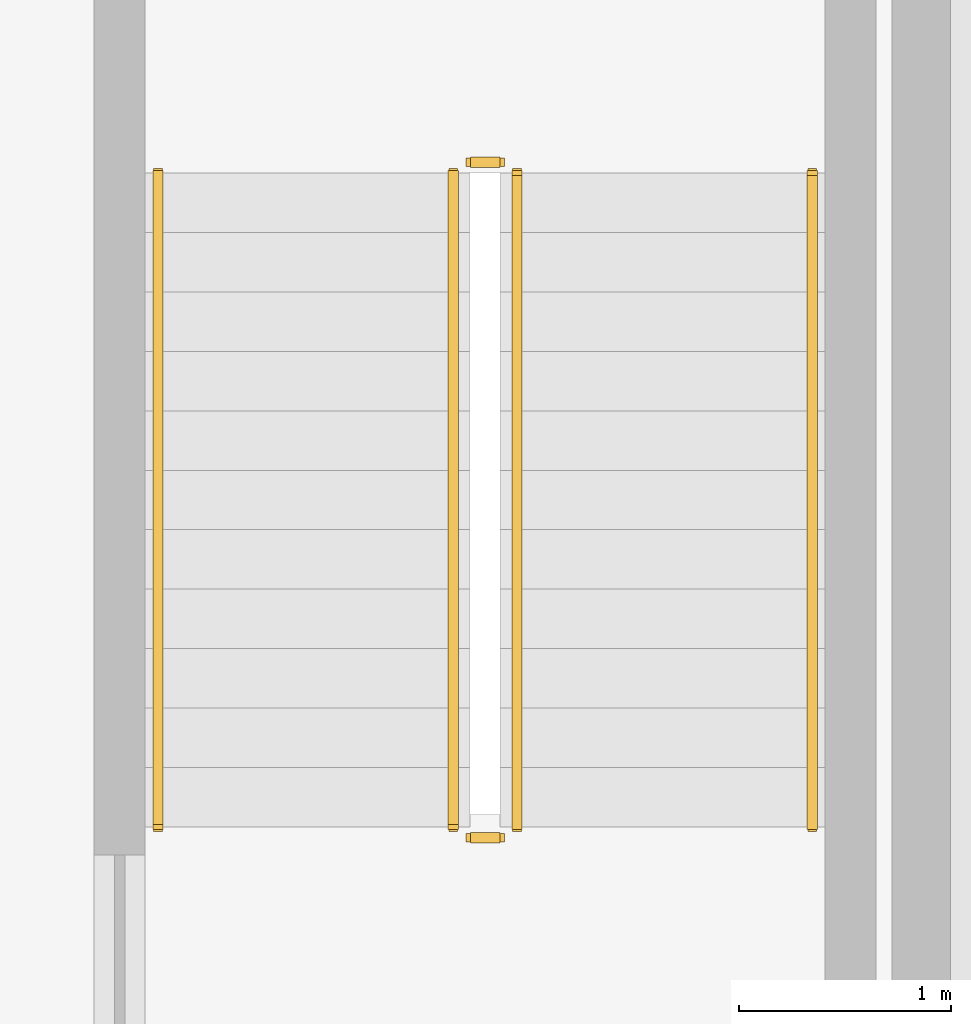
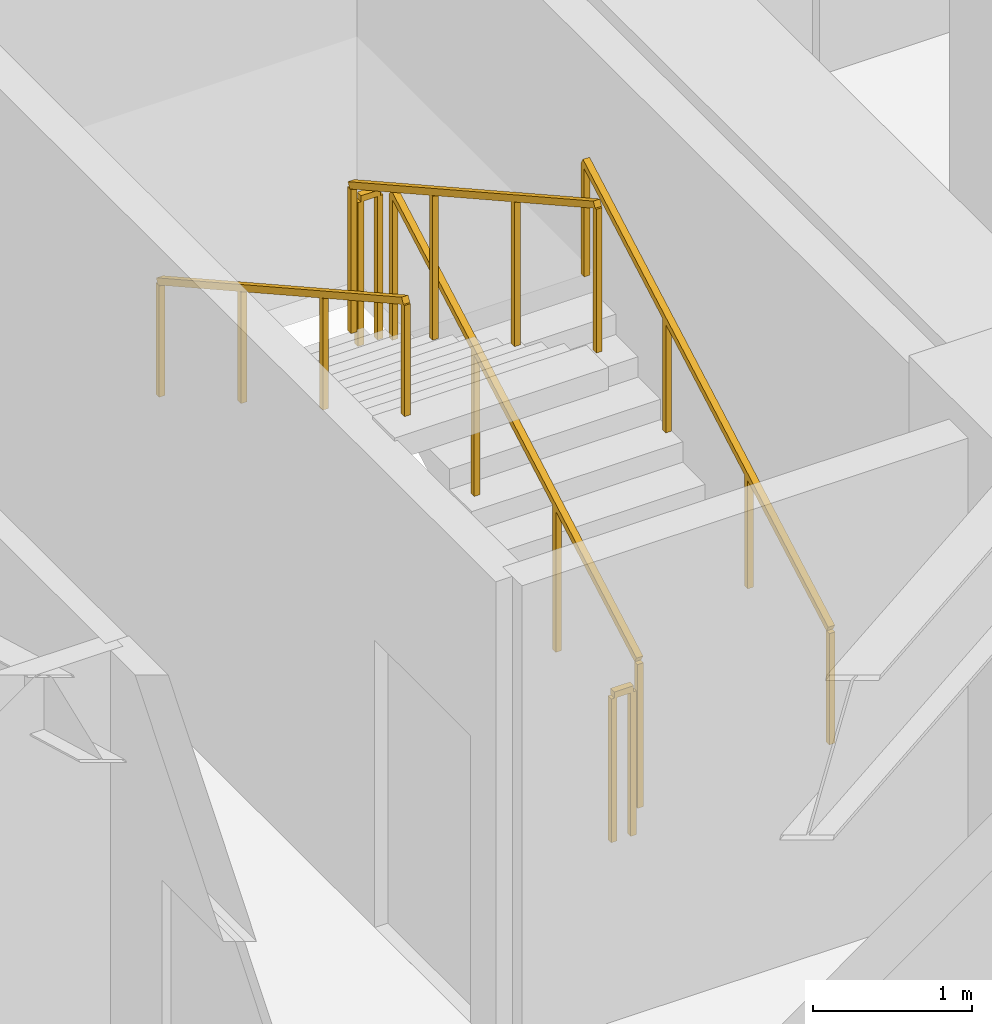
# One storey, part 9 of 11: 6 railings.
"""IFC4 building model written with IfcOpenShell, lengths in metres."""

from ifc_helpers import new_model, si_unit, direction, frame, origin, origin_2d, place, context, subcontext, project, spatial, rectangle, extrude, material, type_object, element, save


model = new_model("IFC4")

# Units and contexts
model_context = context("Model", 3, precision=1e-05, world=origin(), true_north=direction((0.0, 1.0)))
body_context = subcontext(model_context, "Body", "Model", "MODEL_VIEW")
ifc_project = project(units=[si_unit("LENGTHUNIT", "METRE"), si_unit("AREAUNIT", "SQUARE_METRE"), si_unit("VOLUMEUNIT", "CUBIC_METRE"), si_unit("PLANEANGLEUNIT", "RADIAN"), si_unit("MASSUNIT", "GRAM", prefix="KILO")], contexts=[model_context])

# Site, building, storey
site_placement = place(None, origin())
site = spatial("IfcSite", under=ifc_project, at=site_placement, CompositionType="ELEMENT")
building_placement = place(site_placement, origin())
building = spatial("IfcBuilding", under=site, at=building_placement, Name="Liaohun Quay Tower", CompositionType="ELEMENT")
storey_placement = place(building_placement, frame((0.0, 0.0, 51.75)))
storey = spatial("IfcBuildingStorey", under=building, at=storey_placement, Name="L13", CompositionType="ELEMENT", Elevation=51.75)

# Railings
ifc_material_1 = material(Name="Painted tubular steel", Category="steel")
railing_type_1 = type_object("IfcRailingType", Name="RLG-GUARD-STR", PredefinedType="GUARDRAIL", material=ifc_material_1)
railing_1_placement = place(storey_placement, frame((48.81005859375, 48.35009765625, 0.15625)))
element("IfcRailing", 1, at=railing_1_placement, inside=storey, type_object=railing_type_1, Name="L13 ST-1 stair guard 1", PredefinedType="GUARDRAIL", context=body_context, shape_type="SweptSolid", body=[
    extrude(rectangle(XDim=0.048095703125, YDim=0.048095703125, at=origin_2d()), frame((0.0, 0.0, 1.1259765625), z_axis=(0.0, 0.873225103656, 0.487317061414), x_axis=(-1.0, 0.0, 0.0)), (0.0, 0.0, 1.0), 3.52685546875),
    extrude(rectangle(XDim=0.0419921875, YDim=0.0419921875, at=origin_2d()), origin(), (0.0, 0.0, 1.0), 1.101806640625),
    extrude(rectangle(XDim=0.0419921875, YDim=0.0419921875, at=origin_2d()), frame((0.0, 1.026611328125, 0.572998046875)), (0.0, 0.0, 1.0), 1.101806640625),
    extrude(rectangle(XDim=0.0419921875, YDim=0.0419921875, at=origin_2d()), frame((0.0, 2.05322265625, 1.145751953125)), (0.0, 0.0, 1.0), 1.101806640625),
    extrude(rectangle(XDim=0.0419921875, YDim=0.0419921875, at=origin_2d()), frame((0.0, 3.079833984375, 1.71875)), (0.0, 0.0, 1.0), 1.101806640625),
])
railing_2_placement = place(storey_placement, frame((48.72998046875, 51.47998046875, 1.875)))
element("IfcRailing", 2, at=railing_2_placement, inside=storey, type_object=railing_type_1, Name="L13 ST-1 stair guard 2", PredefinedType="GUARDRAIL", context=body_context, shape_type="SweptSolid", body=[
    extrude(rectangle(XDim=0.048095703125, YDim=0.048095703125, at=origin_2d()), frame((0.0, 0.0, 1.1259765625), z_axis=(-1.0, 0.0, 0.0), x_axis=(0.0, -1.0, 0.0)), (0.0, 0.0, 1.0), 0.139892578125),
    extrude(rectangle(XDim=0.0419921875, YDim=0.0419921875, at=origin_2d()), origin(), (0.0, 0.0, 1.0), 1.101806640625),
    extrude(rectangle(XDim=0.0419921875, YDim=0.0419921875, at=origin_2d()), frame((-0.139892578125, 0.0, 0.0)), (0.0, 0.0, 1.0), 1.101806640625),
])
railing_3_placement = place(storey_placement, frame((48.510009765625, 51.429931640625, 2.03125)))
element("IfcRailing", 3, at=railing_3_placement, inside=storey, type_object=railing_type_1, Name="L13 ST-1 stair guard 3", PredefinedType="GUARDRAIL", context=body_context, shape_type="SweptSolid", body=[
    extrude(rectangle(XDim=0.048095703125, YDim=0.048095703125, at=origin_2d()), frame((0.0, 0.0, 1.1259765625), z_axis=(0.0, -0.873225103656, 0.487317061414), x_axis=(1.0, 0.0, 0.0)), (0.0, 0.0, 1.0), 3.52685546875),
    extrude(rectangle(XDim=0.0419921875, YDim=0.0419921875, at=origin_2d()), origin(), (0.0, 0.0, 1.0), 1.101806640625),
    extrude(rectangle(XDim=0.0419921875, YDim=0.0419921875, at=origin_2d()), frame((0.0, -1.026611328125, 0.572998046875)), (0.0, 0.0, 1.0), 1.101806640625),
    extrude(rectangle(XDim=0.0419921875, YDim=0.0419921875, at=origin_2d()), frame((0.0, -2.05322265625, 1.145751953125)), (0.0, 0.0, 1.0), 1.101806640625),
    extrude(rectangle(XDim=0.0419921875, YDim=0.0419921875, at=origin_2d()), frame((0.0, -3.079833984375, 1.71875)), (0.0, 0.0, 1.0), 1.101806640625),
])
railing_4_placement = place(storey_placement, frame((48.72998046875, 48.300048828125, 0.0)))
element("IfcRailing", 4, at=railing_4_placement, inside=storey, type_object=railing_type_1, Name="L13 ST-1 stair guard 4", PredefinedType="GUARDRAIL", context=body_context, shape_type="SweptSolid", body=[
    extrude(rectangle(XDim=0.048095703125, YDim=0.048095703125, at=origin_2d()), frame((0.0, 0.0, 1.1259765625), z_axis=(-1.0, 0.0, 0.0), x_axis=(0.0, -1.0, 0.0)), (0.0, 0.0, 1.0), 0.139892578125),
    extrude(rectangle(XDim=0.0419921875, YDim=0.0419921875, at=origin_2d()), origin(), (0.0, 0.0, 1.0), 1.101806640625),
    extrude(rectangle(XDim=0.0419921875, YDim=0.0419921875, at=origin_2d()), frame((-0.139892578125, 0.0, 0.0)), (0.0, 0.0, 1.0), 1.101806640625),
])
ifc_material_2 = material(Name="Brushed stainless steel", Category="steel")
railing_type_2 = type_object("IfcRailingType", Name="RLG-HND-STR", PredefinedType="HANDRAIL", material=ifc_material_2)
railing_5_placement = place(storey_placement, frame((50.199951171875, 48.35009765625, 0.15625)))
element("IfcRailing", 5, at=railing_5_placement, inside=storey, type_object=railing_type_2, Name="L13 ST-1 stair handrail 1", PredefinedType="HANDRAIL", context=body_context, shape_type="SweptSolid", body=[
    extrude(rectangle(XDim=0.048095703125, YDim=0.048095703125, at=origin_2d()), frame((0.0, 0.0, 0.8759765625), z_axis=(0.0, 0.873225103656, 0.487317061414), x_axis=(-1.0, 0.0, 0.0)), (0.0, 0.0, 1.0), 3.52685546875),
    extrude(rectangle(XDim=0.0419921875, YDim=0.0419921875, at=origin_2d()), origin(), (0.0, 0.0, 1.0), 0.851806640625),
    extrude(rectangle(XDim=0.0419921875, YDim=0.0419921875, at=origin_2d()), frame((0.0, 1.026611328125, 0.572998046875)), (0.0, 0.0, 1.0), 0.851806640625),
    extrude(rectangle(XDim=0.0419921875, YDim=0.0419921875, at=origin_2d()), frame((0.0, 2.05322265625, 1.145751953125)), (0.0, 0.0, 1.0), 0.851806640625),
    extrude(rectangle(XDim=0.0419921875, YDim=0.0419921875, at=origin_2d()), frame((0.0, 3.079833984375, 1.71875)), (0.0, 0.0, 1.0), 0.851806640625),
])
railing_6_placement = place(storey_placement, frame((47.1201171875, 51.429931640625, 2.03125)))
element("IfcRailing", 6, at=railing_6_placement, inside=storey, type_object=railing_type_2, Name="L13 ST-1 stair handrail 2", PredefinedType="HANDRAIL", context=body_context, shape_type="SweptSolid", body=[
    extrude(rectangle(XDim=0.048095703125, YDim=0.048095703125, at=origin_2d()), frame((0.0, 0.0, 0.8759765625), z_axis=(0.0, -0.873225103656, 0.487317061414), x_axis=(1.0, 0.0, 0.0)), (0.0, 0.0, 1.0), 3.52685546875),
    extrude(rectangle(XDim=0.0419921875, YDim=0.0419921875, at=origin_2d()), origin(), (0.0, 0.0, 1.0), 0.851806640625),
    extrude(rectangle(XDim=0.0419921875, YDim=0.0419921875, at=origin_2d()), frame((0.0, -1.026611328125, 0.572998046875)), (0.0, 0.0, 1.0), 0.851806640625),
    extrude(rectangle(XDim=0.0419921875, YDim=0.0419921875, at=origin_2d()), frame((0.0, -2.05322265625, 1.145751953125)), (0.0, 0.0, 1.0), 0.851806640625),
    extrude(rectangle(XDim=0.0419921875, YDim=0.0419921875, at=origin_2d()), frame((0.0, -3.079833984375, 1.71875)), (0.0, 0.0, 1.0), 0.851806640625),
])

save(model, "model.ifc")
